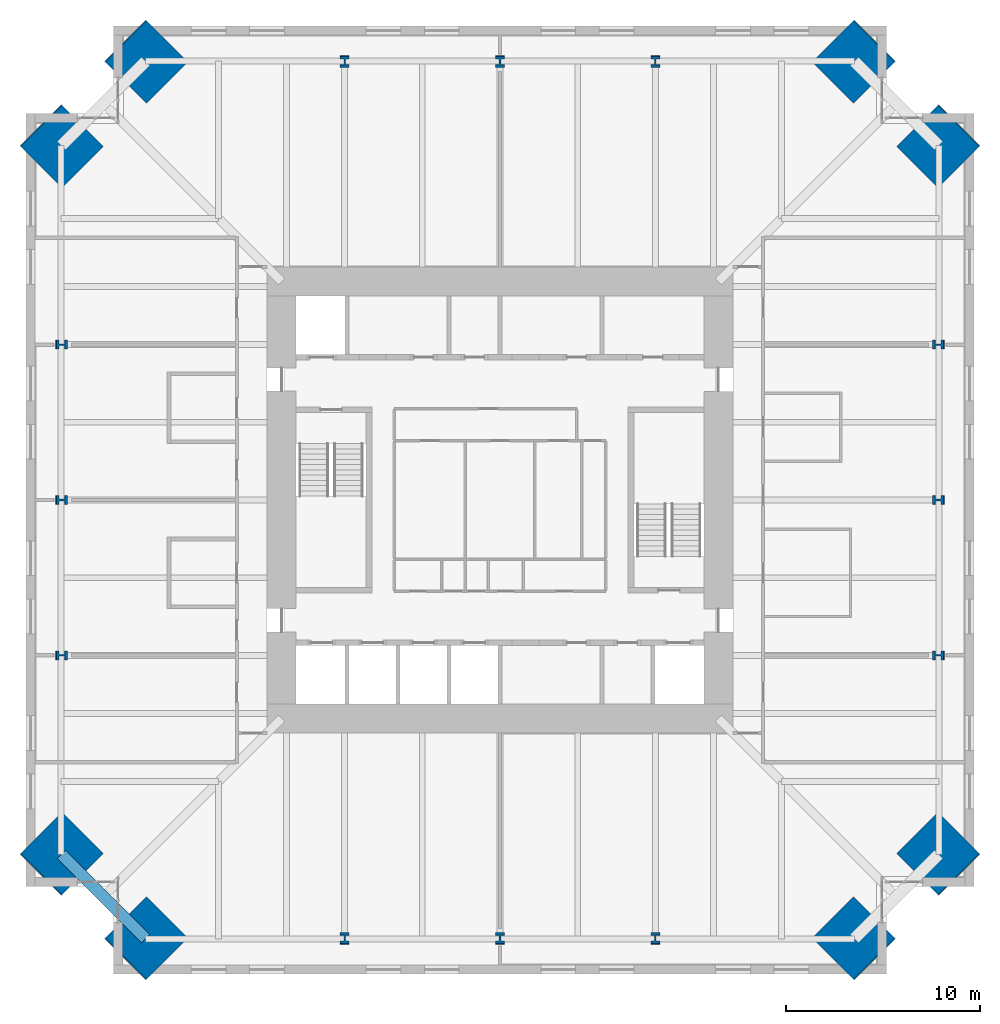
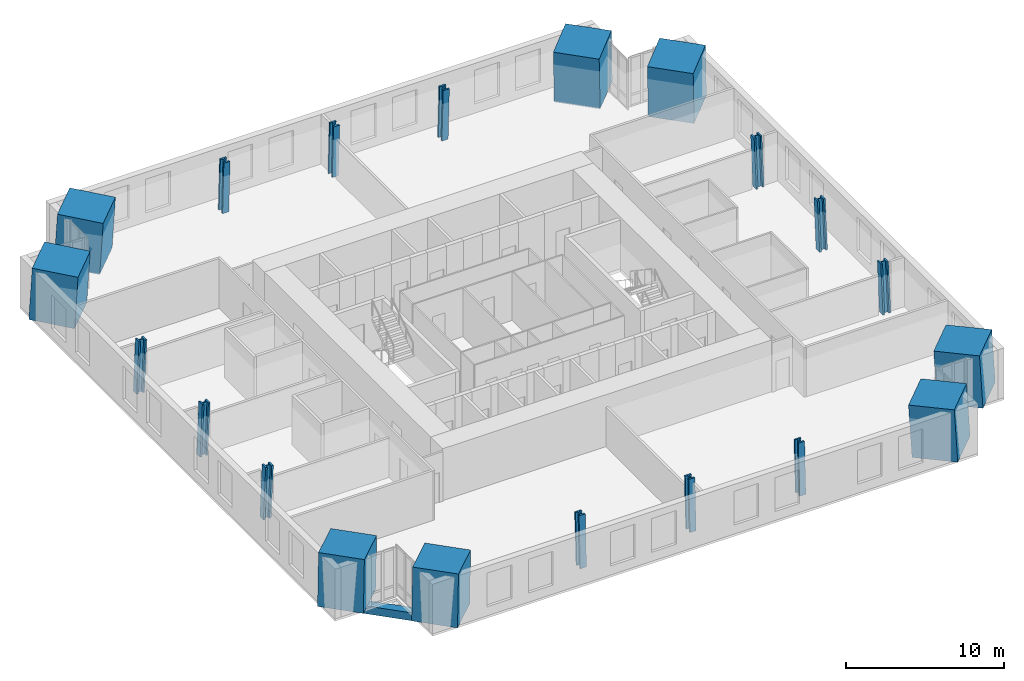
# One storey, part 1 of 15: 20 columns, 1 beam.
"""IFC4 building model written with IfcOpenShell, lengths in metres."""

import ifcopenshell
import ifcopenshell.guid

model = None  # the IFC model being written
_history = None  # IfcOwnerHistory: only IFC2X3 demands one
_inside = {}  # id of a spatial element -> (the spatial element, [elements in it])
_under = {}  # id of a project, library or spatial element -> (it, [spatial elements below it])
_declared = {}  # id of a project -> (the project, [libraries it declares])
_typed = {}  # id of a type object -> (the type object, [elements of that type])
_made_of = {}  # id of a material, layer set ... -> (it, [elements and type objects made of it])


def new_model(schema):
    """Start an empty IFC model of exactly this schema.

    Asked for "IFC4X3", IfcOpenShell would pick the latest addendum, in which some entities
    have other attributes; the version numbers below select the first issue.
    IFC2X3 requires an IfcOwnerHistory on every rooted entity: one is made here for all.
    """
    global model, _history
    if schema == "IFC4X3":
        model = ifcopenshell.file(schema_version=(4, 3, 0, 0))
    else:
        model = ifcopenshell.file(schema=schema)
    _inside.clear()
    _under.clear()
    _declared.clear()
    _typed.clear()
    _made_of.clear()
    _history = None
    if model.schema == "IFC2X3":
        org = make("IfcOrganization", Name="unknown")
        user = make(
            "IfcPersonAndOrganization",
            ThePerson=make("IfcPerson", FamilyName="unknown"),
            TheOrganization=org,
        )
        app = make(
            "IfcApplication",
            ApplicationDeveloper=org,
            Version="unknown",
            ApplicationFullName="unknown",
            ApplicationIdentifier="unknown",
        )
        _history = make(
            "IfcOwnerHistory",
            OwningUser=user,
            OwningApplication=app,
            ChangeAction="ADDED",
            CreationDate=0,
        )
    return model


def make(cls, **values):
    """One entity of the class cls with the attributes given. An attribute that is None is left unset."""
    return model.create_entity(
        cls, **{name: value for name, value in values.items() if value is not None}
    )


def rooted(cls, **values):
    """An entity with a GlobalId (a new one), such as an element, a storey or a relation."""
    return make(cls, GlobalId=ifcopenshell.guid.new(), OwnerHistory=_history, **values)


def si_unit(unit_type, name, prefix=None):
    """IfcSIUnit, for example si_unit("LENGTHUNIT", "METRE", prefix="MILLI")."""
    return make("IfcSIUnit", UnitType=unit_type, Prefix=prefix, Name=name)


def assignment(units):
    """IfcUnitAssignment: the units of a project."""
    return None if units is None else make("IfcUnitAssignment", Units=units)


def point(xyz):
    """IfcCartesianPoint."""
    return None if xyz is None else make("IfcCartesianPoint", Coordinates=xyz)


def direction(xyz):
    """IfcDirection."""
    return None if xyz is None else make("IfcDirection", DirectionRatios=xyz)


def frame(location, z_axis=None, x_axis=None):
    """IfcAxis2Placement3D, a coordinate frame: its origin and axes. An axis left out is left unset."""
    return make(
        "IfcAxis2Placement3D",
        Location=point(location),
        Axis=direction(z_axis),
        RefDirection=direction(x_axis),
    )


def frame_2d(location, x_axis=None):
    """IfcAxis2Placement2D, a coordinate frame in the plane: its origin and x axis."""
    return make(
        "IfcAxis2Placement2D", Location=point(location), RefDirection=direction(x_axis)
    )


def origin():
    """The frame at (0, 0, 0) with its axes left unset."""
    return frame((0.0, 0.0, 0.0))


def origin_2d():
    """The frame at (0, 0) in the plane with its x axis left unset."""
    return frame_2d((0.0, 0.0))


def place(relative_to, where):
    """IfcLocalPlacement: puts the frame where relative to a parent placement (None: the world)."""
    return make(
        "IfcLocalPlacement", PlacementRelTo=relative_to, RelativePlacement=where
    )


def context(
    kind, dimensions, precision=None, world=None, true_north=None, identifier=None
):
    """IfcGeometricRepresentationContext, for example the 3D "Model" context."""
    return make(
        "IfcGeometricRepresentationContext",
        ContextIdentifier=identifier,
        ContextType=kind,
        CoordinateSpaceDimension=dimensions,
        Precision=precision,
        WorldCoordinateSystem=world,
        TrueNorth=true_north,
    )


def subcontext(parent, identifier, kind, view, scale=None):
    """IfcGeometricRepresentationSubContext, for example "Body" below "Model"."""
    return make(
        "IfcGeometricRepresentationSubContext",
        ContextIdentifier=identifier,
        ContextType=kind,
        ParentContext=parent,
        TargetScale=scale,
        TargetView=view,
    )


def project(units=None, contexts=None):
    """IfcProject with its units and contexts."""
    return rooted(
        "IfcProject",
        Name="project",
        RepresentationContexts=contexts,
        UnitsInContext=assignment(units),
    )


def spatial(cls, under=None, at=None, **own):
    """A site, building, storey or space (cls), placed at a placement, below another one or the project."""
    s = rooted(cls, ObjectPlacement=at, **own)
    if under is not None:
        _under.setdefault(under.id(), (under, []))[1].append(s)
    return s


def profile(cls, at=None, kind="AREA", **sizes):
    """A parametric profile (cls). Its sizes go by their IFC names, for example OverallWidth=200.0."""
    return make(cls, ProfileType=kind, Position=at, **sizes)


def rectangle(**sizes):
    """IfcRectangleProfileDef."""
    return profile("IfcRectangleProfileDef", **sizes)


def hollow_rectangle(**sizes):
    """IfcRectangleHollowProfileDef."""
    return profile("IfcRectangleHollowProfileDef", **sizes)


def i_section(**sizes):
    """IfcIShapeProfileDef."""
    return profile("IfcIShapeProfileDef", **sizes)


def extrude(swept, where, along, depth):
    """IfcExtrudedAreaSolid: the profile swept, set in the frame where, extruded along a direction by depth."""
    return make(
        "IfcExtrudedAreaSolid",
        SweptArea=swept,
        Position=where,
        ExtrudedDirection=direction(along),
        Depth=depth,
    )


def shape(context_of_items, identifier, shape_type, items):
    """IfcShapeRepresentation: the items that make up one representation, for example the "Body"."""
    return make(
        "IfcShapeRepresentation",
        ContextOfItems=context_of_items,
        RepresentationIdentifier=identifier,
        RepresentationType=shape_type,
        Items=items,
    )


def material(Name=None, Category=None):
    """IfcMaterial."""
    return make("IfcMaterial", Name=Name, Category=Category)


def material_profile(
    of_material, cross_section, Name=None, Category=None, Priority=None
):
    """IfcMaterialProfile: a cross section and its material."""
    return make(
        "IfcMaterialProfile",
        Name=Name,
        Material=of_material,
        Profile=cross_section,
        Priority=Priority,
        Category=Category,
    )


def profile_set(profiles, Name=None, composite=None):
    """IfcMaterialProfileSet."""
    return make(
        "IfcMaterialProfileSet",
        Name=Name,
        MaterialProfiles=profiles,
        CompositeProfile=composite,
    )


def made_of(thing, what):
    """Note that an element or type object is made of a material, layer set ...; save() writes the relation."""
    if what is not None:
        _made_of.setdefault(what.id(), (what, []))[1].append(thing)
    return thing


def type_object(cls, material=None, **own):
    """A type object (cls), such as IfcWallType, which elements share."""
    return made_of(rooted(cls, **own), material)


def element(
    cls,
    number,
    at=None,
    inside=None,
    cuts=None,
    type_object=None,
    material=None,
    context=None,
    identifier="Body",
    shape_type=None,
    held_by="IfcProductDefinitionShape",
    body=None,
    shapes=None,
    **own,
):
    """One element of the class cls, such as IfcWall. Its Tag is "e" and its number.

    at: its placement. inside: the storey or other place that contains it. cuts: it is an
    opening in that element (IfcRelVoidsElement). A single representation is given by context,
    identifier, shape_type and body (its items); several are given by shapes. held_by: the class
    of the entity that holds the representations. save() writes the other relations.
    """
    e = rooted(cls, Tag="e%d" % number, ObjectPlacement=at, **own)
    if body is not None:
        shapes = [shape(context, identifier, shape_type, body)]
    if shapes is not None:
        e.Representation = make(held_by, Representations=shapes)
    if inside is not None:
        _inside.setdefault(inside.id(), (inside, []))[1].append(e)
    if cuts is not None:
        rooted(
            "IfcRelVoidsElement", RelatingBuildingElement=cuts, RelatedOpeningElement=e
        )
    if type_object is not None:
        _typed.setdefault(type_object.id(), (type_object, []))[1].append(e)
    return made_of(e, material)


def aggregate(whole, parts):
    """IfcRelAggregates: a whole, such as a stair, and the parts it consists of."""
    return rooted("IfcRelAggregates", RelatingObject=whole, RelatedObjects=parts)


def save(model, path):
    """Write the relations noted so far, then the file.

    IfcRelAggregates (storeys below a building ...), IfcRelContainedInSpatialStructure (elements
    in a storey), IfcRelDefinesByType, IfcRelAssociatesMaterial and IfcRelDeclares: one each for
    every whole, place, type object, material and project.
    """
    for whole, parts in _under.values():
        aggregate(whole, parts)
    for where, things in _inside.values():
        rooted(
            "IfcRelContainedInSpatialStructure",
            RelatedElements=things,
            RelatingStructure=where,
        )
    for kind, things in _typed.values():
        rooted("IfcRelDefinesByType", RelatedObjects=things, RelatingType=kind)
    for what, things in _made_of.values():
        rooted("IfcRelAssociatesMaterial", RelatedObjects=things, RelatingMaterial=what)
    for by, libraries in _declared.values():
        rooted("IfcRelDeclares", RelatingContext=by, RelatedDefinitions=libraries)
    model.write(path)


model = new_model("IFC4")

# Units and contexts
model_context = context("Model", 3, precision=1e-05, world=origin(), true_north=direction((0.0, 1.0)))
body_context = subcontext(model_context, "Body", "Model", "MODEL_VIEW")
ifc_project = project(units=[si_unit("LENGTHUNIT", "METRE"), si_unit("AREAUNIT", "SQUARE_METRE"), si_unit("VOLUMEUNIT", "CUBIC_METRE"), si_unit("PLANEANGLEUNIT", "RADIAN"), si_unit("MASSUNIT", "GRAM", prefix="KILO")], contexts=[model_context])

# Site, building, storey
site_placement = place(None, origin())
site = spatial("IfcSite", under=ifc_project, at=site_placement, CompositionType="ELEMENT")
building_placement = place(site_placement, origin())
building = spatial("IfcBuilding", under=site, at=building_placement, Name="Peilmerk Tower", CompositionType="ELEMENT")
storey_placement = place(building_placement, frame((0.0, 0.0, 205.800048828125)))
storey = spatial("IfcBuildingStorey", under=building, at=storey_placement, Name="L44", CompositionType="ELEMENT", Elevation=205.800048828125)

# Columns
ifc_material_1 = material(Name="Concrete C90/105", Category="concrete")
ifc_material_profile_1 = material_profile(ifc_material_1, rectangle(XDim=3.0, YDim=3.0, at=origin_2d()), Name="RC 3000x3000")
ifc_profile_set_1 = profile_set([ifc_material_profile_1], Name="Concrete C90/105")
column_type_1 = type_object("IfcColumnType", Name="MC3 3000x3000 encased mega column", PredefinedType="COLUMN", material=ifc_profile_set_1)
for number, where, z_axis, x_axis, name in (
    (1, (18.248291015625, 22.598388671875, 0.0), (-0.040217894151, -0.040278830354, 0.998378754189), (0.707641859868, -0.706571297296, 0.0), "Mega column MC3 NE_N L44"),
    (2, (22.598388671875, 18.248291015625, 0.0), (-0.040278830354, -0.040217894151, 0.998378754189), (0.706571297296, -0.707641859868, 0.0), "Mega column MC3 NE_E L44"),
    (3, (22.598388671875, -18.248291015625, 0.0), (-0.040278830354, 0.040217894151, 0.998378754189), (-0.706571297296, -0.707641859868, 0.0), "Mega column MC3 SE_E L44"),
    (4, (18.248291015625, -22.598388671875, 0.0), (-0.040217894151, 0.040278830354, 0.998378754189), (-0.707641859868, -0.706571297296, 0.0), "Mega column MC3 SE_S L44"),
    (5, (-18.248291015625, -22.598388671875, 0.0), (0.040217894151, 0.040278830354, 0.998378754189), (-0.707641859868, 0.706571297296, 0.0), "Mega column MC3 SW_S L44"),
    (6, (-22.598388671875, -18.248291015625, 0.0), (0.040278830354, 0.040217894151, 0.998378754189), (-0.706571297296, 0.707641859868, 0.0), "Mega column MC3 SW_W L44"),
    (7, (-22.598388671875, 18.248291015625, 0.0), (0.040278830354, -0.040217894151, 0.998378754189), (0.706571297296, 0.707641859868, 0.0), "Mega column MC3 NW_W L44"),
    (8, (-18.248291015625, 22.598388671875, 0.0), (0.040217894151, -0.040278830354, 0.998378754189), (0.707641859868, 0.706571297296, 0.0), "Mega column MC3 NW_N L44"),
):
    element("IfcColumn", number, at=place(storey_placement, frame(where, z_axis=z_axis, x_axis=x_axis)), inside=storey, type_object=column_type_1, Name=name, PredefinedType="COLUMN", context=body_context, shape_type="SweptSolid", body=[
        extrude(rectangle(XDim=3.0, YDim=3.0, at=origin_2d()), origin(), (0.0, 0.0, 1.0), 4.006591796875),
    ])
ifc_material_2 = material(Name="Steel S460", Category="steel")
ifc_material_profile_2 = material_profile(ifc_material_2, i_section(OverallWidth=0.4541015625, OverallDepth=0.569091796875, WebThickness=0.077880859375, FlangeThickness=0.125, at=origin_2d()), Name="HD 400x1086")
ifc_profile_set_2 = profile_set([ifc_material_profile_2], Name="Steel S460")
column_type_2 = type_object("IfcColumnType", Name="SC6 HD 400x1086 interior column", PredefinedType="COLUMN", material=ifc_profile_set_2)
for number, where, z_axis, x_axis, name in (
    (9, (0.0, 22.598388671875, 0.0), (0.0, -0.040311445006, 0.999187163349), (1.0, 0.0, 0.0), "Perimeter column N+0 L44"),
    (10, (8.0, 22.598388671875, 0.0), (0.0, -0.040311445006, 0.999187163349), (1.0, 0.0, 0.0), "Perimeter column N-8 L44"),
    (11, (-8.0, 22.598388671875, 0.0), (0.0, -0.040311445006, 0.999187163349), (1.0, 0.0, 0.0), "Perimeter column N+8 L44"),
    (12, (22.598388671875, 0.0, 0.0), (-0.040311445006, 0.0, 0.999187163349), (0.0, -1.0, 0.0), "Perimeter column E+0 L44"),
    (13, (22.598388671875, -8.0, 0.0), (-0.040311445006, 0.0, 0.999187163349), (0.0, -1.0, 0.0), "Perimeter column E-8 L44"),
    (14, (22.598388671875, 8.0, 0.0), (-0.040311445006, 0.0, 0.999187163349), (0.0, -1.0, 0.0), "Perimeter column E+8 L44"),
    (15, (0.0, -22.598388671875, 0.0), (0.0, 0.040311445006, 0.999187163349), (-1.0, 0.0, 0.0), "Perimeter column S+0 L44"),
    (16, (-8.0, -22.598388671875, 0.0), (0.0, 0.040311445006, 0.999187163349), (-1.0, 0.0, 0.0), "Perimeter column S-8 L44"),
    (17, (8.0, -22.598388671875, 0.0), (0.0, 0.040311445006, 0.999187163349), (-1.0, 0.0, 0.0), "Perimeter column S+8 L44"),
    (18, (-22.598388671875, 0.0, 0.0), (0.040311445006, 0.0, 0.999187163349), (0.0, 1.0, 0.0), "Perimeter column W+0 L44"),
    (19, (-22.598388671875, 8.0, 0.0), (0.040311445006, 0.0, 0.999187163349), (0.0, 1.0, 0.0), "Perimeter column W-8 L44"),
    (20, (-22.598388671875, -8.0, 0.0), (0.040311445006, 0.0, 0.999187163349), (0.0, 1.0, 0.0), "Perimeter column W+8 L44"),
):
    element("IfcColumn", number, at=place(storey_placement, frame(where, z_axis=z_axis, x_axis=x_axis)), inside=storey, type_object=column_type_2, Name=name, PredefinedType="COLUMN", context=body_context, shape_type="SweptSolid", body=[
        extrude(i_section(OverallWidth=0.4541015625, OverallDepth=0.569091796875, WebThickness=0.077880859375, FlangeThickness=0.125, at=origin_2d()), origin(), (0.0, 0.0, 1.0), 4.003173828125),
    ])

# Beam
ifc_material_profile_3 = material_profile(ifc_material_2, hollow_rectangle(XDim=0.60009765625, YDim=0.60009765625, WallThickness=0.06005859375, at=origin_2d()), Name="BOX 600x600x60")
ifc_profile_set_3 = profile_set([ifc_material_profile_3], Name="Steel S460")
beam_type = type_object("IfcBeamType", Name="B20 BOX 600x600x60 notch beam", PredefinedType="SPANDREL", material=ifc_profile_set_3)
beam_placement = place(storey_placement, frame((-18.248291015625, -22.598388671875, -0.469970703125), z_axis=(-0.707106781187, 0.707106781187, 0.0), x_axis=(-0.707106781187, -0.707106781187, 0.0)))
element("IfcBeam", 21, at=beam_placement, inside=storey, type_object=beam_type, Name="Notch beam L44", PredefinedType="SPANDREL", context=body_context, shape_type="SweptSolid", body=[
    extrude(hollow_rectangle(XDim=0.60009765625, YDim=0.60009765625, WallThickness=0.06005859375, at=origin_2d()), origin(), (0.0, 0.0, 1.0), 6.15185546875),
])

save(model, "model.ifc")
